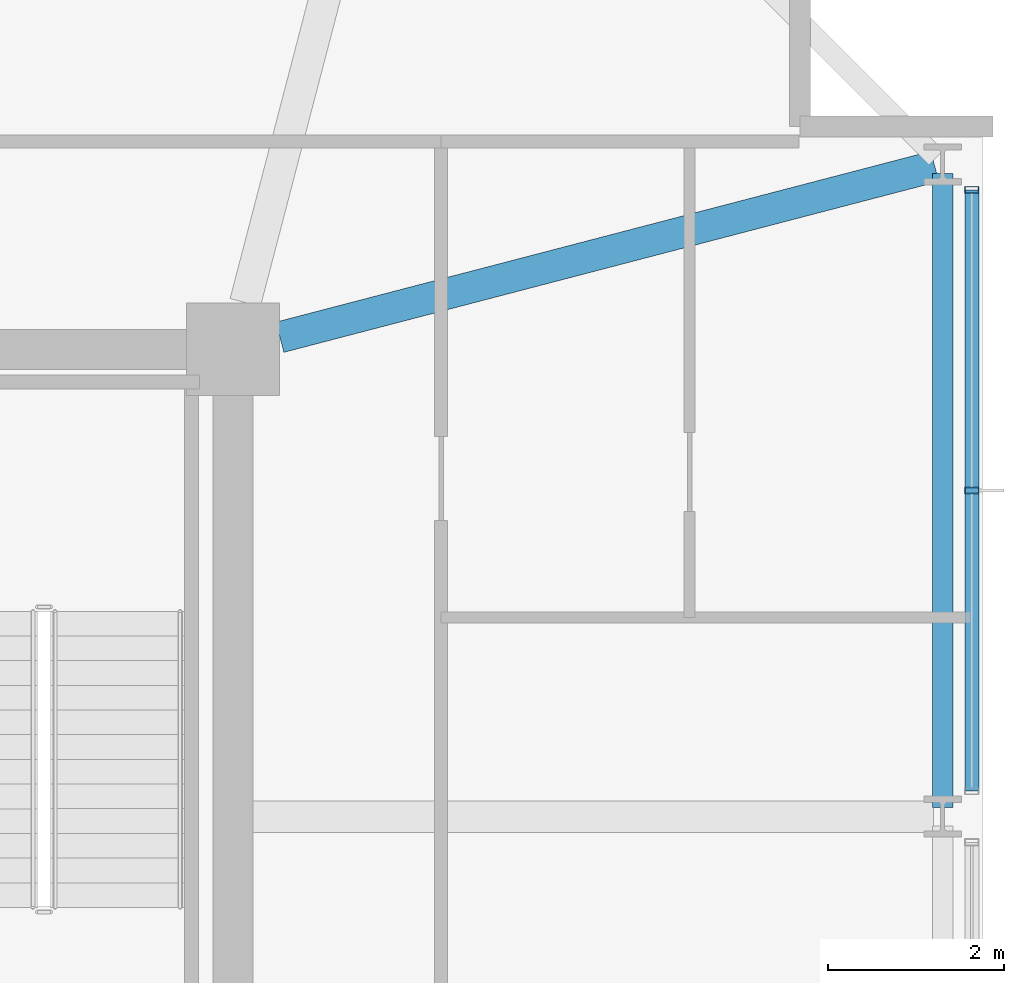
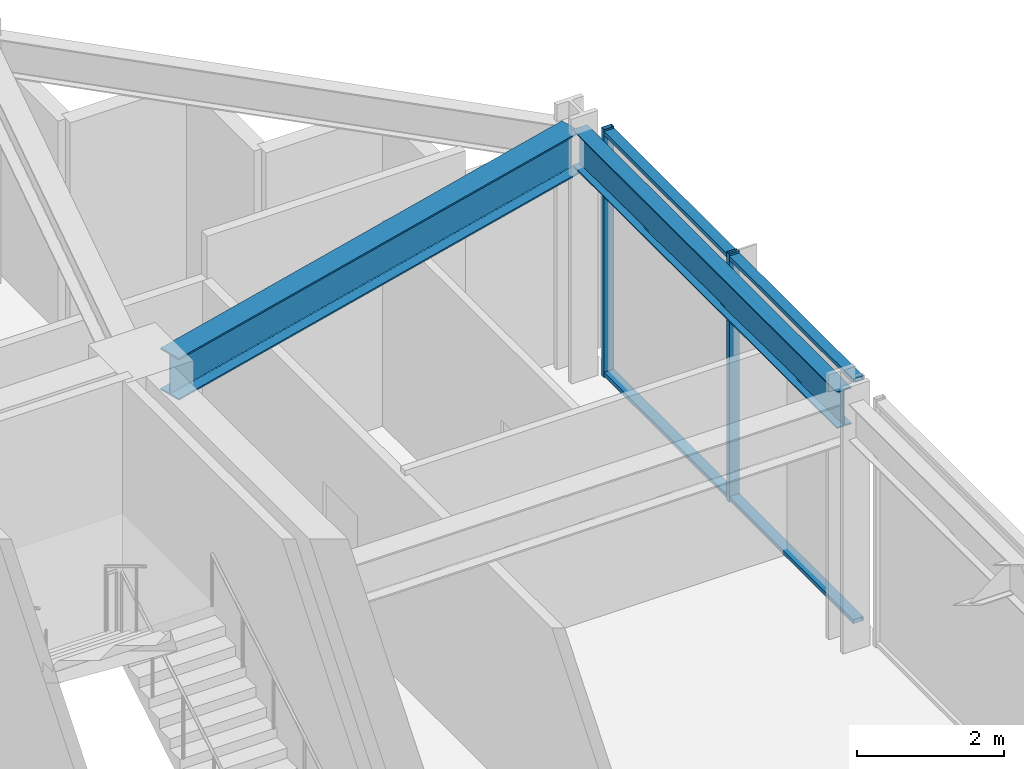
# One storey, part 13 of 26: 4 members, 2 beams, 1 element without a shape of its own.
"""IFC4 building model written with IfcOpenShell, lengths in metres."""

from ifc_helpers import new_model, si_unit, direction, frame, origin, origin_2d, place, context, subcontext, project, spatial, hollow_rectangle, i_section, extrude, material, material_profile, profile_set, type_object, element, aggregate, save


model = new_model("IFC4")

# Units and contexts
model_context = context("Model", 3, precision=1e-05, world=origin(), true_north=direction((0.0, 1.0)))
body_context = subcontext(model_context, "Body", "Model", "MODEL_VIEW")
ifc_project = project(units=[si_unit("LENGTHUNIT", "METRE"), si_unit("AREAUNIT", "SQUARE_METRE"), si_unit("VOLUMEUNIT", "CUBIC_METRE"), si_unit("PLANEANGLEUNIT", "RADIAN"), si_unit("MASSUNIT", "GRAM", prefix="KILO")], contexts=[model_context])

# Site, building, storey
site_placement = place(None, origin())
site = spatial("IfcSite", under=ifc_project, at=site_placement, CompositionType="ELEMENT")
building_placement = place(site_placement, origin())
building = spatial("IfcBuilding", under=site, at=building_placement, Name="Kolvaren Belvedere", CompositionType="ELEMENT")
storey_placement = place(building_placement, frame((0.0, 0.0, 258.39990234375)))
storey = spatial("IfcBuildingStorey", under=building, at=storey_placement, Name="L75", CompositionType="ELEMENT", Elevation=258.39990234375)

# Beams
ifc_material_1 = material(Name="Structural steel ASTM A992 Grade 50", Category="steel")
ifc_material_profile_1 = material_profile(ifc_material_1, i_section(OverallWidth=0.35498046875, OverallDepth=0.696044921875, WebThickness=0.015380859375, FlangeThickness=0.02490234375, FilletRadius=0.02197265625, at=origin_2d()), Name="W27X146")
ifc_profile_set_1 = profile_set([ifc_material_profile_1], Name="Structural steel ASTM A992 Grade 50")
beam_type_1 = type_object("IfcBeamType", Name="BM-GIRD-W27X146", PredefinedType="BEAM", material=ifc_profile_set_1)
beam_1_placement = place(storey_placement, frame((10.43212890625, 10.038818359375, 3.772216796875), z_axis=(0.967616934661, 0.252423191796, 0.0), x_axis=(-0.252423191796, 0.967616934661, 0.0)))
element("IfcBeam", 1, at=beam_1_placement, inside=storey, type_object=beam_type_1, Name="L75 Corner Core-to-Perimeter Girder CC3-E4", PredefinedType="BEAM", context=body_context, shape_type="SweptSolid", body=[
    extrude(i_section(OverallWidth=0.35498046875, OverallDepth=0.696044921875, WebThickness=0.015380859375, FlangeThickness=0.02490234375, FilletRadius=0.02197265625, at=origin_2d()), origin(), (0.0, 0.0, 1.0), 7.676513671875),
])
ifc_material_2 = material(Name="Structural steel ASTM A992 Grade 50", Category="steel")
ifc_material_profile_2 = material_profile(ifc_material_2, i_section(OverallWidth=0.22900390625, OverallDepth=0.612060546875, WebThickness=0.011962890625, FlangeThickness=0.01953125, FilletRadius=0.01806640625, at=origin_2d()), Name="W24X84")
ifc_profile_set_2 = profile_set([ifc_material_profile_2], Name="Structural steel ASTM A992 Grade 50")
beam_type_2 = type_object("IfcBeamType", Name="BM-SPAN-W24X84", PredefinedType="SPANDREL", material=ifc_profile_set_2)
beam_2_placement = place(storey_placement, frame((17.949951171875, 4.70458984375, 3.814208984375), z_axis=(0.0, 1.0, 0.0), x_axis=(-1.0, 0.0, 0.0)))
element("IfcBeam", 2, at=beam_2_placement, inside=storey, type_object=beam_type_2, Name="L75 Perimeter Spandrel E3-E4", PredefinedType="SPANDREL", context=body_context, shape_type="SweptSolid", body=[
    extrude(i_section(OverallWidth=0.22900390625, OverallDepth=0.612060546875, WebThickness=0.011962890625, FlangeThickness=0.01953125, FilletRadius=0.01806640625, at=origin_2d()), origin(), (0.0, 0.0, 1.0), 7.19091796875),
])

# Curtain wall, members
ifc_material_3 = material(Name="Anodised pale-metal aluminium AA 6063-T6", Category="aluminium")
curtain_wall_type = type_object("IfcCurtainWallType", Name="CW-CRN-OBS", PredefinedType="NOTDEFINED", material=ifc_material_3)
curtain_wall_placement = place(storey_placement, origin())
curtain_wall = element("IfcCurtainWall", 3, at=curtain_wall_placement, inside=storey, type_object=curtain_wall_type, Name="L75 Unitised Curtain Wall FCW-L75-E-B1", PredefinedType="NOTDEFINED")
ifc_material_4 = material(Name="Anodised pale-metal aluminium AA 6063-T6", Category="aluminium")
ifc_material_profile_3 = material_profile(ifc_material_4, hollow_rectangle(XDim=0.074951171875, YDim=0.159912109375, WallThickness=0.00439453125, at=origin_2d()), Name="ALU-MUL-160X75")
ifc_profile_set_3 = profile_set([ifc_material_profile_3], Name="Anodised pale-metal aluminium AA 6063-T6")
member_type_1 = type_object("IfcMemberType", Name="CW-MUL-160", PredefinedType="MULLION", material=ifc_profile_set_3)
member_1_placement = place(storey_placement, frame((18.280029296875, 11.7099609375, 0.0), z_axis=(0.0, 0.0, 1.0), x_axis=(0.0, 1.0, 0.0)))
member_1 = element("IfcMember", 4, at=member_1_placement, type_object=member_type_1, Name="FCW-L75-E-B1 Unitised Mullion 1", PredefinedType="MULLION", context=body_context, shape_type="SweptSolid", body=[
    extrude(hollow_rectangle(XDim=0.074951171875, YDim=0.159912109375, WallThickness=0.00439453125, at=origin_2d()), origin(), (0.0, 0.0, 1.0), 4.1201171875),
])
member_2_placement = place(storey_placement, frame((18.280029296875, 8.300048828125, 0.0), z_axis=(0.0, 0.0, 1.0), x_axis=(0.0, 1.0, 0.0)))
member_2 = element("IfcMember", 5, at=member_2_placement, type_object=member_type_1, Name="FCW-L75-E-B1 Unitised Mullion 2", PredefinedType="MULLION", context=body_context, shape_type="SweptSolid", body=[
    extrude(hollow_rectangle(XDim=0.074951171875, YDim=0.159912109375, WallThickness=0.00439453125, at=origin_2d()), origin(), (0.0, 0.0, 1.0), 4.1201171875),
])
ifc_material_5 = material(Name="Anodised pale-metal aluminium AA 6063-T6", Category="aluminium")
ifc_material_profile_4 = material_profile(ifc_material_5, hollow_rectangle(XDim=0.06494140625, YDim=0.159912109375, WallThickness=0.00390625, at=origin_2d()), Name="ALU-TRN-160X65")
ifc_profile_set_4 = profile_set([ifc_material_profile_4], Name="Anodised pale-metal aluminium AA 6063-T6")
member_type_2 = type_object("IfcMemberType", Name="CW-TRN-160", PredefinedType="USERDEFINED", material=ifc_profile_set_4)
member_3_placement = place(storey_placement, frame((18.280029296875, 11.7099609375, 0.06005859375), z_axis=(0.0, -1.0, 0.0), x_axis=(0.0, 0.0, 1.0)))
member_3 = element("IfcMember", 6, at=member_3_placement, type_object=member_type_2, Name="FCW-L75-E-B1 Sill Transom", ObjectType="TRANSOM", PredefinedType="USERDEFINED", context=body_context, shape_type="SweptSolid", body=[
    extrude(hollow_rectangle(XDim=0.06494140625, YDim=0.159912109375, WallThickness=0.00390625, at=origin_2d()), origin(), (0.0, 0.0, 1.0), 6.820068359375),
])
member_4_placement = place(storey_placement, frame((18.280029296875, 11.7099609375, 4.06005859375), z_axis=(0.0, -1.0, 0.0), x_axis=(0.0, 0.0, 1.0)))
member_4 = element("IfcMember", 7, at=member_4_placement, type_object=member_type_2, Name="FCW-L75-E-B1 Head Transom", ObjectType="TRANSOM", PredefinedType="USERDEFINED", context=body_context, shape_type="SweptSolid", body=[
    extrude(hollow_rectangle(XDim=0.06494140625, YDim=0.159912109375, WallThickness=0.00390625, at=origin_2d()), origin(), (0.0, 0.0, 1.0), 6.820068359375),
])
aggregate(curtain_wall, [member_1, member_2, member_3, member_4])

save(model, "model.ifc")
